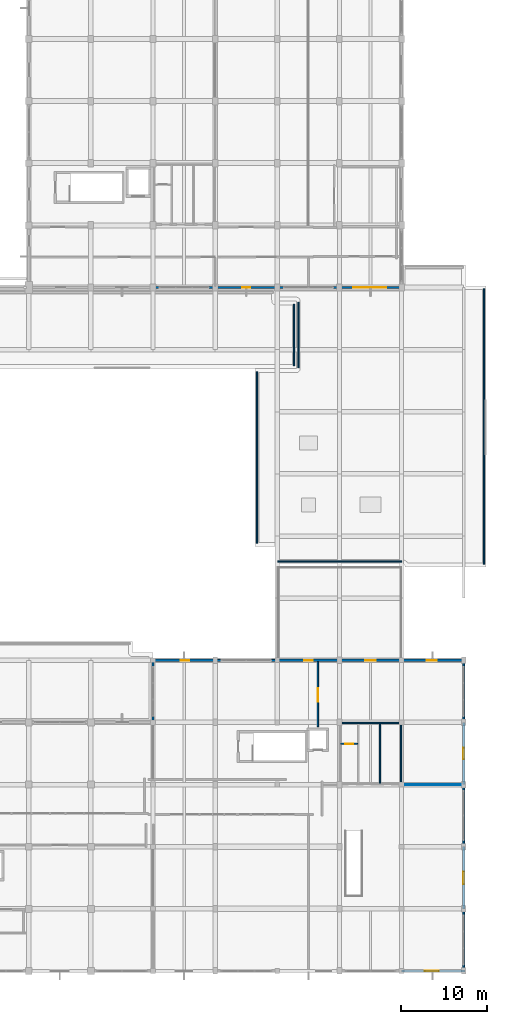
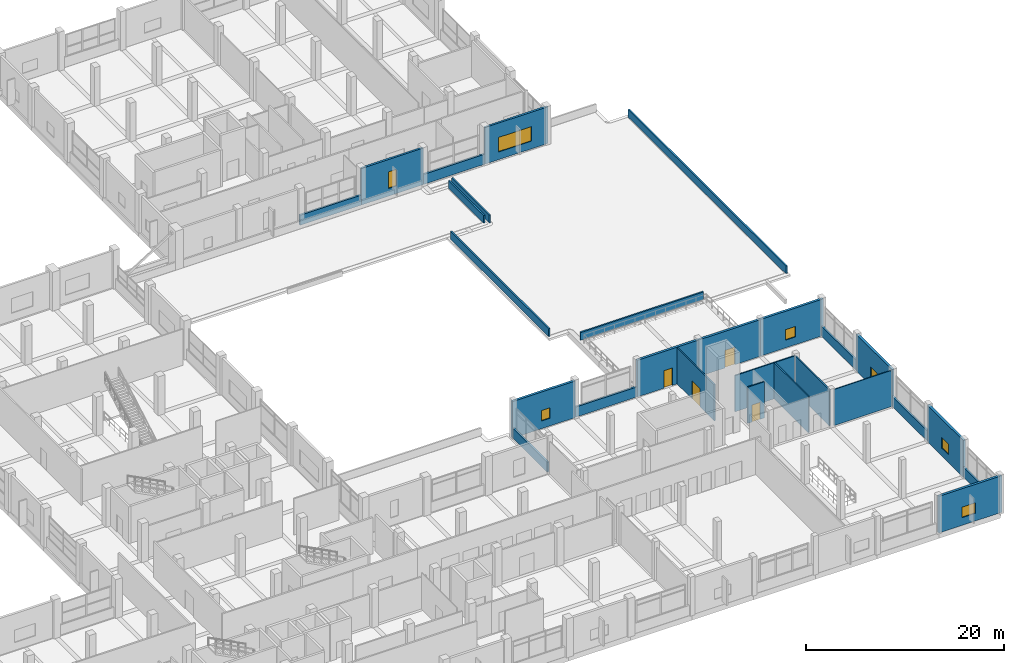
# One storey, part 129 of 140: 27 walls, 7 windows, 4 doors, 11 openings.
"""IFC4 building model written with IfcOpenShell, lengths in metres."""

import ifcopenshell
import ifcopenshell.guid

model = None  # the IFC model being written
_history = None  # IfcOwnerHistory: only IFC2X3 demands one
_inside = {}  # id of a spatial element -> (the spatial element, [elements in it])
_under = {}  # id of a project, library or spatial element -> (it, [spatial elements below it])
_declared = {}  # id of a project -> (the project, [libraries it declares])
_typed = {}  # id of a type object -> (the type object, [elements of that type])
_made_of = {}  # id of a material, layer set ... -> (it, [elements and type objects made of it])


def new_model(schema):
    """Start an empty IFC model of exactly this schema.

    Asked for "IFC4X3", IfcOpenShell would pick the latest addendum, in which some entities
    have other attributes; the version numbers below select the first issue.
    IFC2X3 requires an IfcOwnerHistory on every rooted entity: one is made here for all.
    """
    global model, _history
    if schema == "IFC4X3":
        model = ifcopenshell.file(schema_version=(4, 3, 0, 0))
    else:
        model = ifcopenshell.file(schema=schema)
    _inside.clear()
    _under.clear()
    _declared.clear()
    _typed.clear()
    _made_of.clear()
    _history = None
    if model.schema == "IFC2X3":
        org = make("IfcOrganization", Name="unknown")
        user = make(
            "IfcPersonAndOrganization",
            ThePerson=make("IfcPerson", FamilyName="unknown"),
            TheOrganization=org,
        )
        app = make(
            "IfcApplication",
            ApplicationDeveloper=org,
            Version="unknown",
            ApplicationFullName="unknown",
            ApplicationIdentifier="unknown",
        )
        _history = make(
            "IfcOwnerHistory",
            OwningUser=user,
            OwningApplication=app,
            ChangeAction="ADDED",
            CreationDate=0,
        )
    return model


def make(cls, **values):
    """One entity of the class cls with the attributes given. An attribute that is None is left unset."""
    return model.create_entity(
        cls, **{name: value for name, value in values.items() if value is not None}
    )


def rooted(cls, **values):
    """An entity with a GlobalId (a new one), such as an element, a storey or a relation."""
    return make(cls, GlobalId=ifcopenshell.guid.new(), OwnerHistory=_history, **values)


def si_unit(unit_type, name, prefix=None):
    """IfcSIUnit, for example si_unit("LENGTHUNIT", "METRE", prefix="MILLI")."""
    return make("IfcSIUnit", UnitType=unit_type, Prefix=prefix, Name=name)


def assignment(units):
    """IfcUnitAssignment: the units of a project."""
    return None if units is None else make("IfcUnitAssignment", Units=units)


def point(xyz):
    """IfcCartesianPoint."""
    return None if xyz is None else make("IfcCartesianPoint", Coordinates=xyz)


def direction(xyz):
    """IfcDirection."""
    return None if xyz is None else make("IfcDirection", DirectionRatios=xyz)


def frame(location, z_axis=None, x_axis=None):
    """IfcAxis2Placement3D, a coordinate frame: its origin and axes. An axis left out is left unset."""
    return make(
        "IfcAxis2Placement3D",
        Location=point(location),
        Axis=direction(z_axis),
        RefDirection=direction(x_axis),
    )


def frame_2d(location, x_axis=None):
    """IfcAxis2Placement2D, a coordinate frame in the plane: its origin and x axis."""
    return make(
        "IfcAxis2Placement2D", Location=point(location), RefDirection=direction(x_axis)
    )


def origin():
    """The frame at (0, 0, 0) with its axes left unset."""
    return frame((0.0, 0.0, 0.0))


def place(relative_to, where):
    """IfcLocalPlacement: puts the frame where relative to a parent placement (None: the world)."""
    return make(
        "IfcLocalPlacement", PlacementRelTo=relative_to, RelativePlacement=where
    )


def context(
    kind, dimensions, precision=None, world=None, true_north=None, identifier=None
):
    """IfcGeometricRepresentationContext, for example the 3D "Model" context."""
    return make(
        "IfcGeometricRepresentationContext",
        ContextIdentifier=identifier,
        ContextType=kind,
        CoordinateSpaceDimension=dimensions,
        Precision=precision,
        WorldCoordinateSystem=world,
        TrueNorth=true_north,
    )


def subcontext(parent, identifier, kind, view, scale=None):
    """IfcGeometricRepresentationSubContext, for example "Body" below "Model"."""
    return make(
        "IfcGeometricRepresentationSubContext",
        ContextIdentifier=identifier,
        ContextType=kind,
        ParentContext=parent,
        TargetScale=scale,
        TargetView=view,
    )


def project(units=None, contexts=None):
    """IfcProject with its units and contexts."""
    return rooted(
        "IfcProject",
        Name="project",
        RepresentationContexts=contexts,
        UnitsInContext=assignment(units),
    )


def spatial(cls, under=None, at=None, **own):
    """A site, building, storey or space (cls), placed at a placement, below another one or the project."""
    s = rooted(cls, ObjectPlacement=at, **own)
    if under is not None:
        _under.setdefault(under.id(), (under, []))[1].append(s)
    return s


def profile(cls, at=None, kind="AREA", **sizes):
    """A parametric profile (cls). Its sizes go by their IFC names, for example OverallWidth=200.0."""
    return make(cls, ProfileType=kind, Position=at, **sizes)


def rectangle(**sizes):
    """IfcRectangleProfileDef."""
    return profile("IfcRectangleProfileDef", **sizes)


def extrude(swept, where, along, depth):
    """IfcExtrudedAreaSolid: the profile swept, set in the frame where, extruded along a direction by depth."""
    return make(
        "IfcExtrudedAreaSolid",
        SweptArea=swept,
        Position=where,
        ExtrudedDirection=direction(along),
        Depth=depth,
    )


def shape(context_of_items, identifier, shape_type, items):
    """IfcShapeRepresentation: the items that make up one representation, for example the "Body"."""
    return make(
        "IfcShapeRepresentation",
        ContextOfItems=context_of_items,
        RepresentationIdentifier=identifier,
        RepresentationType=shape_type,
        Items=items,
    )


def material(Name=None, Category=None):
    """IfcMaterial."""
    return make("IfcMaterial", Name=Name, Category=Category)


def layer(
    of_material, thickness, ventilated=None, Name=None, Category=None, Priority=None
):
    """IfcMaterialLayer: one layer of a wall or slab, of a material (None: an air gap)."""
    return make(
        "IfcMaterialLayer",
        Material=of_material,
        LayerThickness=thickness,
        IsVentilated=ventilated,
        Name=Name,
        Category=Category,
        Priority=Priority,
    )


def layer_set(layers, Name=None):
    """IfcMaterialLayerSet."""
    return make("IfcMaterialLayerSet", MaterialLayers=layers, LayerSetName=Name)


def made_of(thing, what):
    """Note that an element or type object is made of a material, layer set ...; save() writes the relation."""
    if what is not None:
        _made_of.setdefault(what.id(), (what, []))[1].append(thing)
    return thing


def type_object(cls, material=None, **own):
    """A type object (cls), such as IfcWallType, which elements share."""
    return made_of(rooted(cls, **own), material)


def element(
    cls,
    number,
    at=None,
    inside=None,
    cuts=None,
    type_object=None,
    material=None,
    context=None,
    identifier="Body",
    shape_type=None,
    held_by="IfcProductDefinitionShape",
    body=None,
    shapes=None,
    **own,
):
    """One element of the class cls, such as IfcWall. Its Tag is "e" and its number.

    at: its placement. inside: the storey or other place that contains it. cuts: it is an
    opening in that element (IfcRelVoidsElement). A single representation is given by context,
    identifier, shape_type and body (its items); several are given by shapes. held_by: the class
    of the entity that holds the representations. save() writes the other relations.
    """
    e = rooted(cls, Tag="e%d" % number, ObjectPlacement=at, **own)
    if body is not None:
        shapes = [shape(context, identifier, shape_type, body)]
    if shapes is not None:
        e.Representation = make(held_by, Representations=shapes)
    if inside is not None:
        _inside.setdefault(inside.id(), (inside, []))[1].append(e)
    if cuts is not None:
        rooted(
            "IfcRelVoidsElement", RelatingBuildingElement=cuts, RelatedOpeningElement=e
        )
    if type_object is not None:
        _typed.setdefault(type_object.id(), (type_object, []))[1].append(e)
    return made_of(e, material)


def fill(opening, filler):
    """IfcRelFillsElement: the door or window that sits in an opening."""
    return rooted(
        "IfcRelFillsElement",
        RelatingOpeningElement=opening,
        RelatedBuildingElement=filler,
    )


def aggregate(whole, parts):
    """IfcRelAggregates: a whole, such as a stair, and the parts it consists of."""
    return rooted("IfcRelAggregates", RelatingObject=whole, RelatedObjects=parts)


def save(model, path):
    """Write the relations noted so far, then the file.

    IfcRelAggregates (storeys below a building ...), IfcRelContainedInSpatialStructure (elements
    in a storey), IfcRelDefinesByType, IfcRelAssociatesMaterial and IfcRelDeclares: one each for
    every whole, place, type object, material and project.
    """
    for whole, parts in _under.values():
        aggregate(whole, parts)
    for where, things in _inside.values():
        rooted(
            "IfcRelContainedInSpatialStructure",
            RelatedElements=things,
            RelatingStructure=where,
        )
    for kind, things in _typed.values():
        rooted("IfcRelDefinesByType", RelatedObjects=things, RelatingType=kind)
    for what, things in _made_of.values():
        rooted("IfcRelAssociatesMaterial", RelatedObjects=things, RelatingMaterial=what)
    for by, libraries in _declared.values():
        rooted("IfcRelDeclares", RelatingContext=by, RelatedDefinitions=libraries)
    model.write(path)


model = new_model("IFC4")

# Units and contexts
model_context = context("Model", 3, precision=1e-05, world=origin(), true_north=direction((0.0, 1.0)))
body_context = subcontext(model_context, "Body", "Model", "MODEL_VIEW")
ifc_project = project(units=[si_unit("LENGTHUNIT", "METRE"), si_unit("AREAUNIT", "SQUARE_METRE"), si_unit("VOLUMEUNIT", "CUBIC_METRE"), si_unit("PLANEANGLEUNIT", "RADIAN"), si_unit("MASSUNIT", "GRAM", prefix="KILO")], contexts=[model_context])

# Site, building, storey
site_placement = place(None, origin())
site = spatial("IfcSite", under=ifc_project, at=site_placement, CompositionType="ELEMENT")
building_placement = place(site_placement, origin())
building = spatial("IfcBuilding", under=site, at=building_placement, Name="Seraya Terrace Polytechnic", CompositionType="ELEMENT")
storey_placement = place(building_placement, frame((0.0, 0.0, 9.60009765625)))
storey = spatial("IfcBuildingStorey", under=building, at=storey_placement, Name="L02", CompositionType="ELEMENT", Elevation=9.60009765625)

# Wall, opening, window
ifc_material_1 = material(Name="Precast concrete C40/50", Category="concrete")
ifc_layer_1 = layer(ifc_material_1, 0.280029296875, Name="EW-02")
ifc_layer_set_1 = layer_set([ifc_layer_1], Name="Precast concrete C40/50")
wall_type_1 = type_object("IfcWallType", Name="EW-02", PredefinedType="SOLIDWALL", material=ifc_layer_set_1)
wall_1_placement = place(storey_placement, frame((129.449951171875, 36.0, 0.0), z_axis=(0.0, 0.0, 1.0), x_axis=(1.0, 0.0, 0.0)))
wall_1 = element("IfcWall", 1, at=wall_1_placement, inside=storey, type_object=wall_type_1, Name="Exterior structural wall EW-02 L02", PredefinedType="SOLIDWALL", context=body_context, shape_type="SweptSolid", body=[
    extrude(rectangle(XDim=7.35009765625, YDim=0.280029296875, at=frame_2d((3.675048828125, 0.0))), origin(), (0.0, 0.0, 1.0), 4.52001953125),
])
opening_1_placement = place(wall_1_placement, frame((3.35009765625, 0.0, 0.949951171875)))
opening_1 = element("IfcOpeningElement", 2, at=opening_1_placement, cuts=wall_1, Name="Opening WN-01", PredefinedType="OPENING", context=body_context, shape_type="SweptSolid", body=[
    extrude(rectangle(XDim=1.0, YDim=1.300048828125, at=frame_2d((0.5, 0.64990234375))), frame((0.0, 0.15185546875, 0.0), z_axis=(0.0, -1.0, 0.0), x_axis=(1.0, 0.0, 0.0)), (0.0, 0.0, 1.0), 0.303955078125),
])
ifc_material_2 = material(Name="Laminated solar-control Low-E double glazing", Category="glass")
window_type_1 = type_object("IfcWindowType", Name="WN-01", PartitioningType="SINGLE_PANEL", PredefinedType="WINDOW", material=ifc_material_2)
window_1_placement = place(opening_1_placement, origin())
window_1 = element("IfcWindow", 3, at=window_1_placement, inside=storey, type_object=window_type_1, Name="Exterior window WN-01 L02", OverallHeight=1.300048828125, OverallWidth=1.0, PartitioningType="SINGLE_PANEL", PredefinedType="WINDOW", context=body_context, shape_type="SweptSolid", body=[
    extrude(rectangle(XDim=1.0, YDim=1.300048828125, at=frame_2d((0.5, 0.64990234375))), frame((0.0, 0.030029296875, 0.0), z_axis=(0.0, -1.0, 0.0), x_axis=(1.0, 0.0, 0.0)), (0.0, 0.0, 1.0), 0.06005859375),
])
fill(opening_1, window_1)

# Wall, opening, door
wall_2_placement = place(storey_placement, frame((144.0, 36.0, 0.0), z_axis=(0.0, 0.0, 1.0), x_axis=(1.0, 0.0, 0.0)))
wall_2 = element("IfcWall", 4, at=wall_2_placement, inside=storey, type_object=wall_type_1, Name="Exterior structural wall EW-02 L02", PredefinedType="SOLIDWALL", context=body_context, shape_type="SweptSolid", body=[
    extrude(rectangle(XDim=7.199951171875, YDim=0.280029296875, at=frame_2d((3.60009765625, 0.0))), origin(), (0.0, 0.0, 1.0), 4.52001953125),
])
opening_2_placement = place(wall_2_placement, frame((3.10009765625, 0.0, 0.0)))
opening_2 = element("IfcOpeningElement", 5, at=opening_2_placement, cuts=wall_2, Name="Opening TD-01", PredefinedType="OPENING", context=body_context, shape_type="SweptSolid", body=[
    extrude(rectangle(XDim=1.0, YDim=2.14990234375, at=frame_2d((0.5, 1.074951171875))), frame((0.0, 0.15185546875, 0.0), z_axis=(0.0, -1.0, 0.0), x_axis=(1.0, 0.0, 0.0)), (0.0, 0.0, 1.0), 0.303955078125),
])
ifc_material_3 = material(Name="Anodised aluminium EN AW-6063 T6", Category="aluminium")
door_type_1 = type_object("IfcDoorType", Name="TD-01", OperationType="NOTDEFINED", PredefinedType="DOOR", material=ifc_material_3)
door_1_placement = place(opening_2_placement, origin())
door_1 = element("IfcDoor", 6, at=door_1_placement, inside=storey, type_object=door_type_1, Name="Door TD-01 DR-TERR-L02-07-02 in WL-EXT-L02-07-02", OperationType="SINGLE_SWING_LEFT", OverallHeight=2.14990234375, OverallWidth=1.0, PredefinedType="DOOR", context=body_context, shape_type="SweptSolid", body=[
    extrude(rectangle(XDim=1.0, YDim=2.14990234375, at=frame_2d((0.5, 1.074951171875))), frame((0.0, 0.02490234375, 0.0), z_axis=(0.0, -1.0, 0.0), x_axis=(1.0, 0.0, 0.0)), (0.0, 0.0, 1.0), 0.050048828125),
])
fill(opening_2, door_1)

wall_3_placement = place(storey_placement, frame((151.199951171875, 36.0, 0.0), z_axis=(0.0, 0.0, 1.0), x_axis=(1.0, 0.0, 0.0)))
wall_3 = element("IfcWall", 7, at=wall_3_placement, inside=storey, type_object=wall_type_1, Name="Exterior structural wall EW-02 L02", PredefinedType="SOLIDWALL", context=body_context, shape_type="SweptSolid", body=[
    extrude(rectangle(XDim=7.199951171875, YDim=0.280029296875, at=frame_2d((3.60009765625, 0.0))), origin(), (0.0, 0.0, 1.0), 4.52001953125),
])
opening_3_placement = place(wall_3_placement, frame((3.010009765625, 0.0, 0.0)))
opening_3 = element("IfcOpeningElement", 8, at=opening_3_placement, cuts=wall_3, Name="Opening TD-02", PredefinedType="OPENING", context=body_context, shape_type="SweptSolid", body=[
    extrude(rectangle(XDim=1.179931640625, YDim=2.179931640625, at=frame_2d((0.58984375, 1.08984375))), frame((0.0, 0.15185546875, 0.0), z_axis=(0.0, -1.0, 0.0), x_axis=(1.0, 0.0, 0.0)), (0.0, 0.0, 1.0), 0.303955078125),
])
door_type_2 = type_object("IfcDoorType", Name="TD-02", OperationType="NOTDEFINED", PredefinedType="DOOR", material=ifc_material_3)
door_2_placement = place(opening_3_placement, origin())
door_2 = element("IfcDoor", 9, at=door_2_placement, inside=storey, type_object=door_type_2, Name="Door TD-02 DR-TERR-L02-07-03 in WL-EXT-L02-07-03", OperationType="SINGLE_SWING_RIGHT", OverallHeight=2.179931640625, OverallWidth=1.179931640625, PredefinedType="DOOR", context=body_context, shape_type="SweptSolid", body=[
    extrude(rectangle(XDim=1.179931640625, YDim=2.179931640625, at=frame_2d((0.58984375, 1.08984375))), frame((0.0, 0.02490234375, 0.0), z_axis=(0.0, -1.0, 0.0), x_axis=(1.0, 0.0, 0.0)), (0.0, 0.0, 1.0), 0.050048828125),
])
fill(opening_3, door_2)

# Wall, opening, window
wall_4_placement = place(storey_placement, frame((158.39990234375, 36.0, 0.0), z_axis=(0.0, 0.0, 1.0), x_axis=(1.0, 0.0, 0.0)))
wall_4 = element("IfcWall", 10, at=wall_4_placement, inside=storey, type_object=wall_type_1, Name="Exterior structural wall EW-02 L02", PredefinedType="SOLIDWALL", context=body_context, shape_type="SweptSolid", body=[
    extrude(rectangle(XDim=7.35009765625, YDim=0.280029296875, at=frame_2d((3.675048828125, 0.0))), origin(), (0.0, 0.0, 1.0), 4.52001953125),
])
opening_4_placement = place(wall_4_placement, frame((2.925048828125, 0.0, 0.949951171875)))
opening_4 = element("IfcOpeningElement", 11, at=opening_4_placement, cuts=wall_4, Name="Opening WN-02", PredefinedType="OPENING", context=body_context, shape_type="SweptSolid", body=[
    extrude(rectangle(XDim=1.14990234375, YDim=1.300048828125, at=frame_2d((0.574951171875, 0.64990234375))), frame((0.0, 0.15185546875, 0.0), z_axis=(0.0, -1.0, 0.0), x_axis=(1.0, 0.0, 0.0)), (0.0, 0.0, 1.0), 0.303955078125),
])
window_type_2 = type_object("IfcWindowType", Name="WN-02", PartitioningType="SINGLE_PANEL", PredefinedType="WINDOW", material=ifc_material_2)
window_2_placement = place(opening_4_placement, origin())
window_2 = element("IfcWindow", 12, at=window_2_placement, inside=storey, type_object=window_type_2, Name="Exterior window WN-02 L02", OverallHeight=1.300048828125, OverallWidth=1.14990234375, PartitioningType="SINGLE_PANEL", PredefinedType="WINDOW", context=body_context, shape_type="SweptSolid", body=[
    extrude(rectangle(XDim=1.14990234375, YDim=1.300048828125, at=frame_2d((0.574951171875, 0.64990234375))), frame((0.0, 0.030029296875, 0.0), z_axis=(0.0, -1.0, 0.0), x_axis=(1.0, 0.0, 0.0)), (0.0, 0.0, 1.0), 0.06005859375),
])
fill(opening_4, window_2)

wall_5_placement = place(storey_placement, frame((165.60009765625, 28.800048828125, 0.0), z_axis=(0.0, 0.0, 1.0), x_axis=(0.0, -1.0, 0.0)))
wall_5 = element("IfcWall", 13, at=wall_5_placement, inside=storey, type_object=wall_type_1, Name="Exterior structural wall EW-02 L02", PredefinedType="SOLIDWALL", context=body_context, shape_type="SweptSolid", body=[
    extrude(rectangle(XDim=7.199951171875, YDim=0.280029296875, at=frame_2d((3.60009765625, 0.0))), origin(), (0.0, 0.0, 1.0), 4.52001953125),
])
opening_5_placement = place(wall_5_placement, frame((2.949951171875, 0.0, 0.949951171875)))
opening_5 = element("IfcOpeningElement", 14, at=opening_5_placement, cuts=wall_5, Name="Opening WN-03", PredefinedType="OPENING", context=body_context, shape_type="SweptSolid", body=[
    extrude(rectangle(XDim=1.300048828125, YDim=1.300048828125, at=frame_2d((0.64990234375, 0.64990234375))), frame((0.0, 0.15185546875, 0.0), z_axis=(0.0, -1.0, 0.0), x_axis=(1.0, 0.0, 0.0)), (0.0, 0.0, 1.0), 0.303955078125),
])
window_type_3 = type_object("IfcWindowType", Name="WN-03", PartitioningType="SINGLE_PANEL", PredefinedType="WINDOW", material=ifc_material_2)
window_3_placement = place(opening_5_placement, origin())
window_3 = element("IfcWindow", 15, at=window_3_placement, inside=storey, type_object=window_type_3, Name="Exterior window WN-03 L02", OverallHeight=1.300048828125, OverallWidth=1.300048828125, PartitioningType="SINGLE_PANEL", PredefinedType="WINDOW", context=body_context, shape_type="SweptSolid", body=[
    extrude(rectangle(XDim=1.300048828125, YDim=1.300048828125, at=frame_2d((0.64990234375, 0.64990234375))), frame((0.0, 0.030029296875, 0.0), z_axis=(0.0, -1.0, 0.0), x_axis=(1.0, 0.0, 0.0)), (0.0, 0.0, 1.0), 0.06005859375),
])
fill(opening_5, window_3)

wall_6_placement = place(storey_placement, frame((165.60009765625, 14.39990234375, 0.0), z_axis=(0.0, 0.0, 1.0), x_axis=(0.0, -1.0, 0.0)))
wall_6 = element("IfcWall", 16, at=wall_6_placement, inside=storey, type_object=wall_type_1, Name="Exterior structural wall EW-02 L02", PredefinedType="SOLIDWALL", context=body_context, shape_type="SweptSolid", body=[
    extrude(rectangle(XDim=7.199951171875, YDim=0.280029296875, at=frame_2d((3.60009765625, 0.0))), origin(), (0.0, 0.0, 1.0), 4.52001953125),
])
opening_6_placement = place(wall_6_placement, frame((2.875, 0.0, 0.949951171875)))
opening_6 = element("IfcOpeningElement", 17, at=opening_6_placement, cuts=wall_6, Name="Opening WN-04", PredefinedType="OPENING", context=body_context, shape_type="SweptSolid", body=[
    extrude(rectangle(XDim=1.449951171875, YDim=1.300048828125, at=frame_2d((0.72509765625, 0.64990234375))), frame((0.0, 0.15185546875, 0.0), z_axis=(0.0, -1.0, 0.0), x_axis=(1.0, 0.0, 0.0)), (0.0, 0.0, 1.0), 0.303955078125),
])
window_type_4 = type_object("IfcWindowType", Name="WN-04", PartitioningType="SINGLE_PANEL", PredefinedType="WINDOW", material=ifc_material_2)
window_4_placement = place(opening_6_placement, origin())
window_4 = element("IfcWindow", 18, at=window_4_placement, inside=storey, type_object=window_type_4, Name="Exterior window WN-04 L02", OverallHeight=1.300048828125, OverallWidth=1.449951171875, PartitioningType="SINGLE_PANEL", PredefinedType="WINDOW", context=body_context, shape_type="SweptSolid", body=[
    extrude(rectangle(XDim=1.449951171875, YDim=1.300048828125, at=frame_2d((0.72509765625, 0.64990234375))), frame((0.0, 0.030029296875, 0.0), z_axis=(0.0, -1.0, 0.0), x_axis=(1.0, 0.0, 0.0)), (0.0, 0.0, 1.0), 0.06005859375),
])
fill(opening_6, window_4)

wall_7_placement = place(storey_placement, frame((165.75, 0.0, 0.0), z_axis=(0.0, 0.0, 1.0), x_axis=(-1.0, 0.0, 0.0)))
wall_7 = element("IfcWall", 19, at=wall_7_placement, inside=storey, type_object=wall_type_1, Name="Exterior structural wall EW-02 L02", PredefinedType="SOLIDWALL", context=body_context, shape_type="SweptSolid", body=[
    extrude(rectangle(XDim=7.35009765625, YDim=0.280029296875, at=frame_2d((3.675048828125, 0.0))), origin(), (0.0, 0.0, 1.0), 4.52001953125),
])
opening_7_placement = place(wall_7_placement, frame((3.050048828125, 0.0, 0.949951171875)))
opening_7 = element("IfcOpeningElement", 20, at=opening_7_placement, cuts=wall_7, Name="Opening WN-05", PredefinedType="OPENING", context=body_context, shape_type="SweptSolid", body=[
    extrude(rectangle(XDim=1.60009765625, YDim=1.300048828125, at=frame_2d((0.800048828125, 0.64990234375))), frame((0.0, 0.15185546875, 0.0), z_axis=(0.0, -1.0, 0.0), x_axis=(1.0, 0.0, 0.0)), (0.0, 0.0, 1.0), 0.303955078125),
])
window_type_5 = type_object("IfcWindowType", Name="WN-05", PartitioningType="SINGLE_PANEL", PredefinedType="WINDOW", material=ifc_material_2)
window_5_placement = place(opening_7_placement, origin())
window_5 = element("IfcWindow", 21, at=window_5_placement, inside=storey, type_object=window_type_5, Name="Exterior window WN-05 L02", OverallHeight=1.300048828125, OverallWidth=1.60009765625, PartitioningType="SINGLE_PANEL", PredefinedType="WINDOW", context=body_context, shape_type="SweptSolid", body=[
    extrude(rectangle(XDim=1.60009765625, YDim=1.300048828125, at=frame_2d((0.800048828125, 0.64990234375))), frame((0.0, 0.030029296875, 0.0), z_axis=(0.0, -1.0, 0.0), x_axis=(1.0, 0.0, 0.0)), (0.0, 0.0, 1.0), 0.06005859375),
])
fill(opening_7, window_5)

ifc_material_4 = material(Name="Concrete C40/50", Category="concrete")
ifc_layer_2 = layer(ifc_material_4, 0.239990234375, Name="EW-04")
ifc_layer_set_2 = layer_set([ifc_layer_2], Name="Concrete C40/50")
wall_type_2 = type_object("IfcWallType", Name="EW-04", PredefinedType="SOLIDWALL", material=ifc_layer_set_2)
wall_8_placement = place(storey_placement, frame((158.550048828125, 79.199951171875, 0.0), z_axis=(0.0, 0.0, 1.0), x_axis=(-1.0, 0.0, 0.0)))
wall_8 = element("IfcWall", 22, at=wall_8_placement, inside=storey, type_object=wall_type_2, Name="Exterior structural wall EW-04 L02", PredefinedType="SOLIDWALL", context=body_context, shape_type="SweptSolid", body=[
    extrude(rectangle(XDim=7.35009765625, YDim=0.239990234375, at=frame_2d((3.675048828125, 0.0))), origin(), (0.0, 0.0, 1.0), 4.52001953125),
])
opening_8_placement = place(wall_8_placement, frame((1.925048828125, 0.0, 0.949951171875)))
opening_8 = element("IfcOpeningElement", 23, at=opening_8_placement, cuts=wall_8, Name="Opening WN-36", PredefinedType="OPENING", context=body_context, shape_type="SweptSolid", body=[
    extrude(rectangle(XDim=3.85009765625, YDim=1.800048828125, at=frame_2d((1.925048828125, 0.89990234375))), frame((0.0, 0.1318359375, 0.0), z_axis=(0.0, -1.0, 0.0), x_axis=(1.0, 0.0, 0.0)), (0.0, 0.0, 1.0), 0.263916015625),
])
window_type_6 = type_object("IfcWindowType", Name="WN-36", PartitioningType="SINGLE_PANEL", PredefinedType="WINDOW", material=ifc_material_2)
window_6_placement = place(opening_8_placement, origin())
window_6 = element("IfcWindow", 24, at=window_6_placement, inside=storey, type_object=window_type_6, Name="Exterior window WN-36 L02", OverallHeight=1.800048828125, OverallWidth=3.85009765625, PartitioningType="SINGLE_PANEL", PredefinedType="WINDOW", context=body_context, shape_type="SweptSolid", body=[
    extrude(rectangle(XDim=3.85009765625, YDim=1.800048828125, at=frame_2d((1.925048828125, 0.89990234375))), frame((0.0, 0.030029296875, 0.0), z_axis=(0.0, -1.0, 0.0), x_axis=(1.0, 0.0, 0.0)), (0.0, 0.0, 1.0), 0.06005859375),
])
fill(opening_8, window_6)

wall_9_placement = place(storey_placement, frame((144.0, 79.199951171875, 0.0), z_axis=(0.0, 0.0, 1.0), x_axis=(-1.0, 0.0, 0.0)))
wall_9 = element("IfcWall", 25, at=wall_9_placement, inside=storey, type_object=wall_type_2, Name="Exterior structural wall EW-04 L02", PredefinedType="SOLIDWALL", context=body_context, shape_type="SweptSolid", body=[
    extrude(rectangle(XDim=7.199951171875, YDim=0.239990234375, at=frame_2d((3.60009765625, 0.0))), origin(), (0.0, 0.0, 1.0), 4.52001953125),
])
opening_9_placement = place(wall_9_placement, frame((3.125, 0.0, 0.949951171875)))
opening_9 = element("IfcOpeningElement", 26, at=opening_9_placement, cuts=wall_9, Name="Opening WN-37", PredefinedType="OPENING", context=body_context, shape_type="SweptSolid", body=[
    extrude(rectangle(XDim=0.949951171875, YDim=2.050048828125, at=frame_2d((0.47509765625, 1.02490234375))), frame((0.0, 0.1318359375, 0.0), z_axis=(0.0, -1.0, 0.0), x_axis=(1.0, 0.0, 0.0)), (0.0, 0.0, 1.0), 0.263916015625),
])
window_type_7 = type_object("IfcWindowType", Name="WN-37", PartitioningType="SINGLE_PANEL", PredefinedType="WINDOW", material=ifc_material_2)
window_7_placement = place(opening_9_placement, origin())
window_7 = element("IfcWindow", 27, at=window_7_placement, inside=storey, type_object=window_type_7, Name="Exterior window WN-37 L02", OverallHeight=2.050048828125, OverallWidth=0.949951171875, PartitioningType="SINGLE_PANEL", PredefinedType="WINDOW", context=body_context, shape_type="SweptSolid", body=[
    extrude(rectangle(XDim=0.949951171875, YDim=2.050048828125, at=frame_2d((0.47509765625, 1.02490234375))), frame((0.0, 0.030029296875, 0.0), z_axis=(0.0, -1.0, 0.0), x_axis=(1.0, 0.0, 0.0)), (0.0, 0.0, 1.0), 0.06005859375),
])
fill(opening_9, window_7)

# Walls
ifc_layer_3 = layer(ifc_material_1, 0.219970703125, Name="EW-05")
ifc_layer_set_3 = layer_set([ifc_layer_3], Name="Precast concrete C40/50")
wall_type_3 = type_object("IfcWallType", Name="EW-05", PredefinedType="SOLIDWALL", material=ifc_layer_set_3)
wall_10_placement = place(storey_placement, frame((129.60009765625, 28.951904296875, 0.0), z_axis=(0.0, 0.0, 1.0), x_axis=(0.0, 1.0, 0.0)))
element("IfcWall", 28, at=wall_10_placement, inside=storey, type_object=wall_type_3, Name="Precast spandrel wall L02", PredefinedType="SOLIDWALL", context=body_context, shape_type="SweptSolid", body=[
    extrude(rectangle(XDim=6.89599609375, YDim=0.219970703125, at=frame_2d((3.447998046875, 0.0))), origin(), (0.0, 0.0, 1.0), 1.239990234375),
])
wall_11_placement = place(storey_placement, frame((136.800048828125, 36.0, 0.0), z_axis=(0.0, 0.0, 1.0), x_axis=(1.0, 0.0, 0.0)))
element("IfcWall", 29, at=wall_11_placement, inside=storey, type_object=wall_type_3, Name="Precast spandrel wall L02", PredefinedType="SOLIDWALL", context=body_context, shape_type="SweptSolid", body=[
    extrude(rectangle(XDim=7.199951171875, YDim=0.219970703125, at=frame_2d((3.60009765625, 0.0))), origin(), (0.0, 0.0, 1.0), 1.239990234375),
])
wall_12_placement = place(storey_placement, frame((165.60009765625, 35.847900390625, 0.0), z_axis=(0.0, 0.0, 1.0), x_axis=(0.0, -1.0, 0.0)))
element("IfcWall", 30, at=wall_12_placement, inside=storey, type_object=wall_type_3, Name="Precast spandrel wall L02", PredefinedType="SOLIDWALL", context=body_context, shape_type="SweptSolid", body=[
    extrude(rectangle(XDim=7.0478515625, YDim=0.219970703125, at=frame_2d((3.52392578125, 0.0))), origin(), (0.0, 0.0, 1.0), 1.239990234375),
])
wall_13_placement = place(storey_placement, frame((165.60009765625, 21.60009765625, 0.0), z_axis=(0.0, 0.0, 1.0), x_axis=(0.0, -1.0, 0.0)))
element("IfcWall", 31, at=wall_13_placement, inside=storey, type_object=wall_type_3, Name="Precast spandrel wall L02", PredefinedType="SOLIDWALL", context=body_context, shape_type="SweptSolid", body=[
    extrude(rectangle(XDim=7.2001953125, YDim=0.219970703125, at=frame_2d((3.60009765625, 0.0))), origin(), (0.0, 0.0, 1.0), 1.239990234375),
])
wall_14_placement = place(storey_placement, frame((165.60009765625, 7.199951171875, 0.0), z_axis=(0.0, 0.0, 1.0), x_axis=(0.0, -1.0, 0.0)))
element("IfcWall", 32, at=wall_14_placement, inside=storey, type_object=wall_type_3, Name="Precast spandrel wall L02", PredefinedType="SOLIDWALL", context=body_context, shape_type="SweptSolid", body=[
    extrude(rectangle(XDim=7.0478515625, YDim=0.219970703125, at=frame_2d((3.52392578125, 0.0))), origin(), (0.0, 0.0, 1.0), 1.239990234375),
])
for number, where, z_axis, x_axis, name in (
    (33, (151.199951171875, 79.199951171875, 0.0), (0.0, 0.0, 1.0), (-1.0, 0.0, 0.0), "Precast spandrel wall L02"),
    (34, (136.800048828125, 79.199951171875, 0.0), (0.0, 0.0, 1.0), (-1.0, 0.0, 0.0), "Precast spandrel wall L02"),
):
    element("IfcWall", number, at=place(storey_placement, frame(where, z_axis=z_axis, x_axis=x_axis)), inside=storey, type_object=wall_type_3, Name=name, PredefinedType="SOLIDWALL", context=body_context, shape_type="SweptSolid", body=[
        extrude(rectangle(XDim=7.199951171875, YDim=0.219970703125, at=frame_2d((3.60009765625, 0.0))), origin(), (0.0, 0.0, 1.0), 1.239990234375),
    ])

# Wall, opening, door
ifc_material_5 = material(Name="Autoclaved aerated concrete blockwork", Category="masonry")
ifc_layer_4 = layer(ifc_material_5, 0.14990234375, Name="PT-03")
ifc_layer_set_4 = layer_set([ifc_layer_4], Name="Autoclaved aerated concrete blockwork")
wall_type_4 = type_object("IfcWallType", Name="PT-03", PredefinedType="PARTITIONING", material=ifc_layer_set_4)
wall_15_placement = place(storey_placement, frame((148.699951171875, 28.330078125, 0.0), z_axis=(0.0, 0.0, 1.0), x_axis=(0.0, 1.0, 0.0)))
wall_15 = element("IfcWall", 35, at=wall_15_placement, inside=storey, type_object=wall_type_4, Name="Internal partition PT-03 L02", PredefinedType="PARTITIONING", context=body_context, shape_type="SweptSolid", body=[
    extrude(rectangle(XDim=7.517822265625, YDim=0.14990234375, at=frame_2d((3.7587890625, 0.0))), origin(), (0.0, 0.0, 1.0), 4.4599609375),
])
opening_10_placement = place(wall_15_placement, frame((2.89501953125, 0.0, 0.0)))
opening_10 = element("IfcOpeningElement", 36, at=opening_10_placement, cuts=wall_15, Name="Opening ID-12", PredefinedType="OPENING", context=body_context, shape_type="SweptSolid", body=[
    extrude(rectangle(XDim=1.56005859375, YDim=2.260009765625, at=frame_2d((0.780029296875, 1.1298828125))), frame((0.0, 0.0869140625, 0.0), z_axis=(0.0, -1.0, 0.0), x_axis=(1.0, 0.0, 0.0)), (0.0, 0.0, 1.0), 0.173828125),
])
ifc_material_6 = material(Name="Malaysian dark red meranti hardwood timber D40", Category="wood")
door_type_3 = type_object("IfcDoorType", Name="ID-12", OperationType="DOUBLE_DOOR_SINGLE_SWING", PredefinedType="DOOR", material=ifc_material_6)
door_3_placement = place(opening_10_placement, frame((1.56005859375, 0.0, 0.0), z_axis=(0.0, 0.0, 1.0), x_axis=(-1.0, 0.0, 0.0)))
door_3 = element("IfcDoor", 37, at=door_3_placement, inside=storey, type_object=door_type_3, Name="Door ID-12 DR-INT-L02-0169 in WL-INT-L02-0541", OperationType="DOUBLE_DOOR_SINGLE_SWING", OverallHeight=2.260009765625, OverallWidth=1.56005859375, PredefinedType="DOOR", context=body_context, shape_type="SweptSolid", body=[
    extrude(rectangle(XDim=1.56005859375, YDim=2.260009765625, at=frame_2d((0.780029296875, 1.1298828125))), frame((0.0, 0.02490234375, 0.0), z_axis=(0.0, -1.0, 0.0), x_axis=(1.0, 0.0, 0.0)), (0.0, 0.0, 1.0), 0.050048828125),
])
fill(opening_10, door_3)

# Walls
ifc_layer_5 = layer(ifc_material_5, 0.139892578125, Name="PT-04")
ifc_layer_set_5 = layer_set([ifc_layer_5], Name="Autoclaved aerated concrete blockwork")
wall_type_5 = type_object("IfcWallType", Name="PT-04", PredefinedType="PARTITIONING", material=ifc_layer_set_5)
wall_16_placement = place(storey_placement, frame((151.27001953125, 28.72998046875, 0.0), z_axis=(0.0, 0.0, 1.0), x_axis=(1.0, 0.0, 0.0)))
element("IfcWall", 38, at=wall_16_placement, inside=storey, type_object=wall_type_5, Name="Sanitary WC-D North wall L02", PredefinedType="PARTITIONING", context=body_context, shape_type="SweptSolid", body=[
    extrude(rectangle(XDim=7.06005859375, YDim=0.139892578125, at=frame_2d((3.530029296875, 0.0))), origin(), (0.0, 0.0, 1.0), 4.4599609375),
])
for number, where, z_axis, x_axis, name in (
    (39, (158.330078125, 21.75, 0.0), (0.0, 0.0, 1.0), (0.0, 1.0, 0.0), "Sanitary WC-D East wall L02"),
    (40, (155.889892578125, 21.75, 0.0), (0.0, 0.0, 1.0), (0.0, 1.0, 0.0), "Sanitary WC-D Male/Female divider L02"),
):
    element("IfcWall", number, at=place(storey_placement, frame(where, z_axis=z_axis, x_axis=x_axis)), inside=storey, type_object=wall_type_5, Name=name, PredefinedType="PARTITIONING", context=body_context, shape_type="SweptSolid", body=[
        extrude(rectangle(XDim=6.89990234375, YDim=0.139892578125, at=frame_2d((3.449951171875, 0.0))), origin(), (0.0, 0.0, 1.0), 4.4599609375),
    ])

# Wall, opening, door
wall_17_placement = place(storey_placement, frame((151.35009765625, 26.320068359375, 0.0), z_axis=(0.0, 0.0, 1.0), x_axis=(1.0, 0.0, 0.0)))
wall_17 = element("IfcWall", 41, at=wall_17_placement, inside=storey, type_object=wall_type_5, Name="Sanitary WC-D OKU/Cleaner divider L02", PredefinedType="PARTITIONING", context=body_context, shape_type="SweptSolid", body=[
    extrude(rectangle(XDim=1.949951171875, YDim=0.139892578125, at=frame_2d((0.97509765625, 0.0))), origin(), (0.0, 0.0, 1.0), 4.4599609375),
])
opening_11_placement = place(wall_17_placement, frame((0.5, 0.0, 0.0)))
opening_11 = element("IfcOpeningElement", 42, at=opening_11_placement, cuts=wall_17, Name="Opening ID-01", PredefinedType="OPENING", context=body_context, shape_type="SweptSolid", body=[
    extrude(rectangle(XDim=0.93994140625, YDim=2.10009765625, at=frame_2d((0.469970703125, 1.050048828125))), frame((0.0, 0.08203125, 0.0), z_axis=(0.0, -1.0, 0.0), x_axis=(1.0, 0.0, 0.0)), (0.0, 0.0, 1.0), 0.163818359375),
])
door_type_4 = type_object("IfcDoorType", Name="ID-01", OperationType="NOTDEFINED", PredefinedType="DOOR", material=ifc_material_6)
door_4_placement = place(opening_11_placement, frame((0.93994140625, 0.0, 0.0), z_axis=(0.0, 0.0, 1.0), x_axis=(-1.0, 0.0, 0.0)))
door_4 = element("IfcDoor", 43, at=door_4_placement, inside=storey, type_object=door_type_4, Name="Door ID-01 DR-WC-WC-D-L02-OKU in WL-WC-WC-D-L02-DH", OperationType="SINGLE_SWING_RIGHT", OverallHeight=2.10009765625, OverallWidth=0.93994140625, PredefinedType="DOOR", context=body_context, shape_type="SweptSolid", body=[
    extrude(rectangle(XDim=0.93994140625, YDim=2.10009765625, at=frame_2d((0.469970703125, 1.050048828125))), frame((0.0, 0.02490234375, 0.0), z_axis=(0.0, -1.0, 0.0), x_axis=(1.0, 0.0, 0.0)), (0.0, 0.0, 1.0), 0.050048828125),
])
fill(opening_11, door_4)

# Walls
ifc_layer_6 = layer(ifc_material_5, 0.10009765625, Name="PT-06")
ifc_layer_set_6 = layer_set([ifc_layer_6], Name="Autoclaved aerated concrete blockwork")
wall_type_6 = type_object("IfcWallType", Name="PT-06", PredefinedType="PARTITIONING", material=ifc_layer_set_6)
wall_18_placement = place(storey_placement, frame((158.68505859375, 21.60009765625, 0.0), z_axis=(0.0, 0.0, 1.0), x_axis=(1.0, 0.0, 0.0)))
element("IfcWall", 44, at=wall_18_placement, inside=storey, type_object=wall_type_6, Name="Internal partition PT-06 L02", PredefinedType="PARTITIONING", context=body_context, shape_type="SweptSolid", body=[
    extrude(rectangle(XDim=6.762939453125, YDim=0.10009765625, at=frame_2d((3.38134765625, 0.0))), origin(), (0.0, 0.0, 1.0), 4.4599609375),
])
ifc_layer_7 = layer(ifc_material_1, 0.179931640625, Name="PW-P2")
ifc_layer_set_7 = layer_set([ifc_layer_7], Name="Precast concrete C40/50")
wall_type_7 = type_object("IfcWallType", Name="PW-P2", PredefinedType="PARAPET", material=ifc_layer_set_7)
wall_19_placement = place(storey_placement, frame((145.949951171875, 77.26611328125, 0.0), z_axis=(0.0, 0.0, 1.0), x_axis=(0.0, -1.0, 0.0)))
element("IfcWall", 45, at=wall_19_placement, inside=storey, type_object=wall_type_7, Name="Roof parapet ROOF-L02-NERIM 13.1", PredefinedType="PARAPET", context=body_context, shape_type="SweptSolid", body=[
    extrude(rectangle(XDim=7.106201171875, YDim=0.179931640625, at=frame_2d((3.55322265625, 0.0))), origin(), (0.0, 0.0, 1.0), 0.949951171875),
])
wall_20_placement = place(storey_placement, frame((167.949951171875, 79.0400390625, 0.0), z_axis=(0.0, 0.0, 1.0), x_axis=(0.0, -1.0, 0.0)))
element("IfcWall", 46, at=wall_20_placement, inside=storey, type_object=wall_type_7, Name="Roof parapet ROOF-L02-EAST 14.1", PredefinedType="PARAPET", context=body_context, shape_type="SweptSolid", body=[
    extrude(rectangle(XDim=31.880126953125, YDim=0.179931640625, at=frame_2d((15.93994140625, 0.0))), origin(), (0.0, 0.0, 1.0), 0.949951171875),
])
wall_21_placement = place(storey_placement, frame((158.39990234375, 47.469970703125, 0.0), z_axis=(0.0, 0.0, 1.0), x_axis=(-1.0, 0.0, 0.0)))
element("IfcWall", 47, at=wall_21_placement, inside=storey, type_object=wall_type_7, Name="Roof parapet ROOF-L02-EAST 22.1", PredefinedType="PARAPET", context=body_context, shape_type="SweptSolid", body=[
    extrude(rectangle(XDim=14.349853515625, YDim=0.179931640625, at=frame_2d((7.1748046875, 0.0))), origin(), (0.0, 0.0, 1.0), 0.949951171875),
])
wall_22_placement = place(storey_placement, frame((141.64990234375, 49.56005859375, 0.0), z_axis=(0.0, 0.0, 1.0), x_axis=(0.0, 1.0, 0.0)))
element("IfcWall", 48, at=wall_22_placement, inside=storey, type_object=wall_type_7, Name="Roof parapet ROOF-L02-EAST 29.1", PredefinedType="PARAPET", context=body_context, shape_type="SweptSolid", body=[
    extrude(rectangle(XDim=19.875, YDim=0.179931640625, at=frame_2d((9.9375, 0.0))), origin(), (0.0, 0.0, 1.0), 0.949951171875),
])
wall_23_placement = place(storey_placement, frame((146.452880859375, 69.8828125, 0.0), z_axis=(0.0, 0.0, 1.0), x_axis=(0.000287834196, 0.999999958576, 0.0)))
element("IfcWall", 49, at=wall_23_placement, inside=storey, type_object=wall_type_7, Name="Roof parapet ROOF-L02-EAST 35.1", PredefinedType="PARAPET", context=body_context, shape_type="SweptSolid", body=[
    extrude(rectangle(XDim=7.6337890625, YDim=0.179931640625, at=frame_2d((3.81689453125, 0.0))), origin(), (0.0, 0.0, 1.0), 0.949951171875),
])

save(model, "model.ifc")
